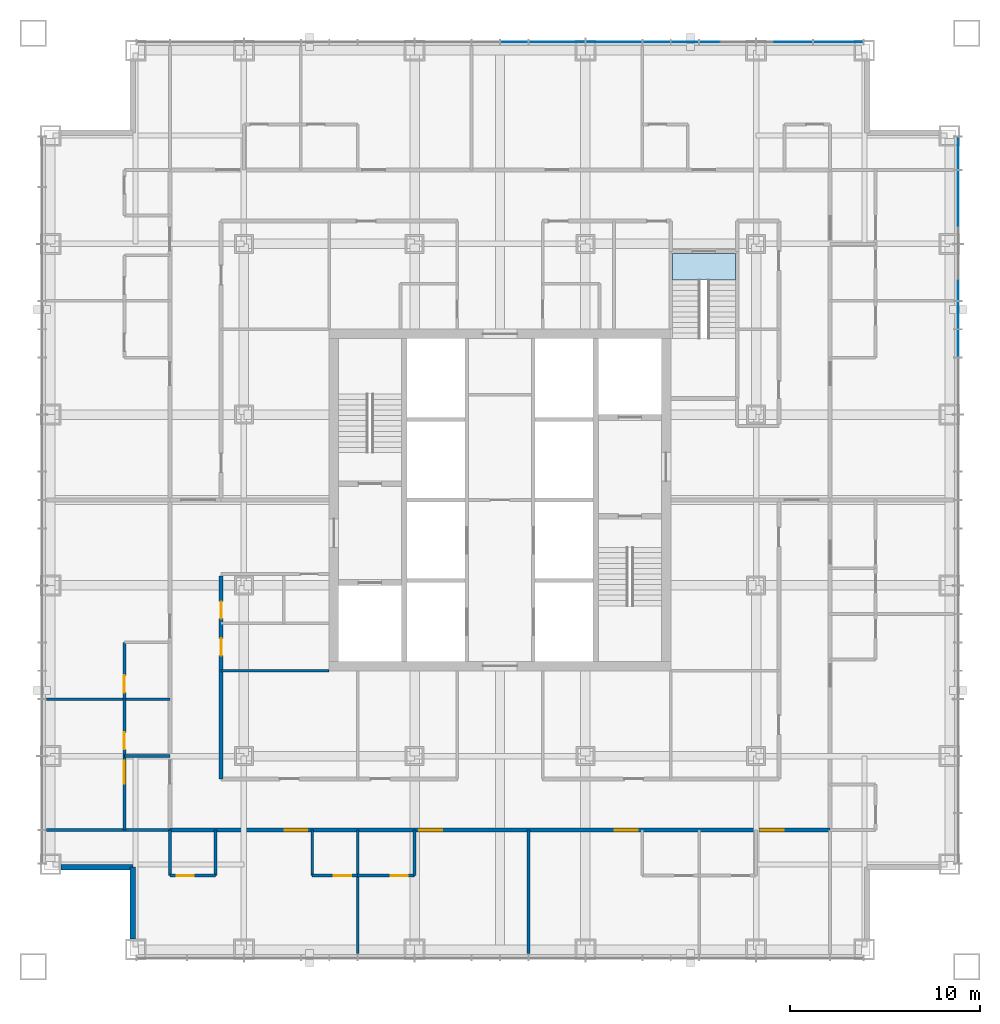
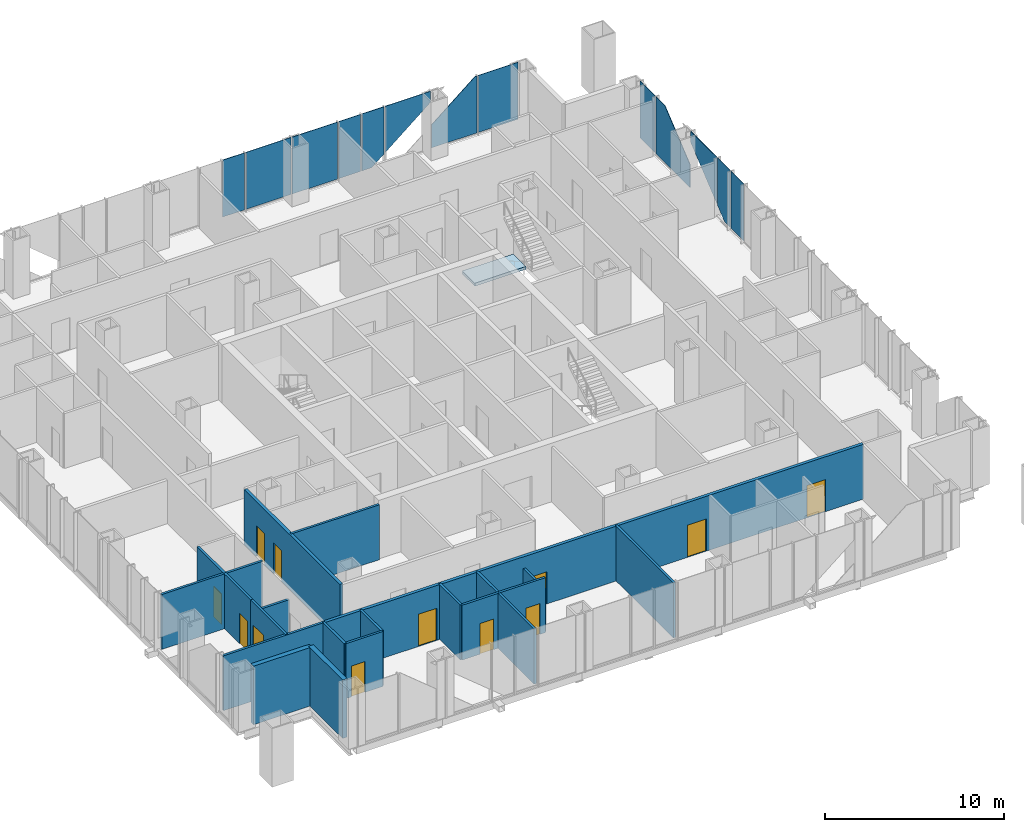
# One storey, part 8 of 14: 20 walls, 13 plates, 12 doors, 1 slab, 12 openings, 3 elements without a shape of their own.
"""IFC4 building model written with IfcOpenShell, lengths in metres."""

from ifc_helpers import new_model, si_unit, direction, frame, frame_2d, origin, origin_2d, place, context, subcontext, project, spatial, polyline, rectangle, outline, extrude, material, layer, layer_set, type_object, element, fill, aggregate, save


model = new_model("IFC4")

# Units and contexts
model_context = context("Model", 3, precision=1e-05, world=origin(), true_north=direction((0.0, 1.0)))
body_context = subcontext(model_context, "Body", "Model", "MODEL_VIEW")
ifc_project = project(units=[si_unit("LENGTHUNIT", "METRE"), si_unit("AREAUNIT", "SQUARE_METRE"), si_unit("VOLUMEUNIT", "CUBIC_METRE"), si_unit("PLANEANGLEUNIT", "RADIAN"), si_unit("MASSUNIT", "GRAM", prefix="KILO")], contexts=[model_context])

# Site, building, storey
site_placement = place(None, origin())
site = spatial("IfcSite", under=ifc_project, at=site_placement, CompositionType="ELEMENT")
building_placement = place(site_placement, origin())
building = spatial("IfcBuilding", under=site, at=building_placement, Name="Malebo Sky Hospital", CompositionType="ELEMENT")
storey_placement = place(building_placement, frame((0.0, 0.0, 128.0)))
storey = spatial("IfcBuildingStorey", under=building, at=storey_placement, Name="L30", CompositionType="ELEMENT", Elevation=128.0)

# Stair, slab
ifc_material_1 = material(Name="Concrete C40/50", Category="concrete")
stair_type = type_object("IfcStairType", Name="HALF-TURN STAIR 1400 R167", PredefinedType="HALF_TURN_STAIR", material=ifc_material_1)
stair_placement = place(storey_placement, origin())
stair = element("IfcStair", 1, at=stair_placement, inside=storey, type_object=stair_type, Name="Stair S3 L30 type ST1B", PredefinedType="HALF_TURN_STAIR")
ifc_layer_1 = layer(ifc_material_1, 0.199951171875)
ifc_layer_set_1 = layer_set([ifc_layer_1], Name="STAIR LANDING 200")
slab_type = type_object("IfcSlabType", Name="STAIR LANDING 200", PredefinedType="LANDING", material=ifc_layer_set_1)
slab_placement = place(storey_placement, frame((0.0, 0.0, -0.199951171875)))
slab = element("IfcSlab", 2, at=slab_placement, type_object=slab_type, Name="S3 landing 1", PredefinedType="LANDING", context=body_context, shape_type="SweptSolid", body=[
    extrude(outline(polyline([(69.10009765625, 73.60009765625), (72.39990234375, 73.60009765625), (72.39990234375, 75.0), (69.10009765625, 75.0), (69.10009765625, 73.60009765625)])), origin(), (0.0, 0.0, 1.0), 0.199951171875),
])
aggregate(stair, [slab])

# Curtain wall, plates
ifc_material_2 = material(Name="Anodised aluminium, natural silver", Category="aluminium")
ifc_layer_2 = layer(ifc_material_2, 0.25)
ifc_layer_set_2 = layer_set([ifc_layer_2], Name="WARD CURTAIN WALL NORTH AND SOUTH")
curtain_wall_type_1 = type_object("IfcCurtainWallType", Name="WARD CURTAIN WALL NORTH AND SOUTH", PredefinedType="NOTDEFINED", material=ifc_layer_set_2)
curtain_wall_1_placement = place(storey_placement, origin())
curtain_wall_1 = element("IfcCurtainWall", 3, at=curtain_wall_1_placement, inside=storey, type_object=curtain_wall_type_1, Name="NS curtain wall N", PredefinedType="NOTDEFINED")
ifc_material_3 = material(Name="Clear low-iron double glazing", Category="glass")
ifc_layer_3 = layer(ifc_material_3, 0.031982421875)
ifc_layer_set_3 = layer_set([ifc_layer_3], Name="VISION PANEL CLEAR 32")
plate_type = type_object("IfcPlateType", Name="VISION PANEL CLEAR 32", PredefinedType="CURTAIN_PANEL", material=ifc_layer_set_3)
plate_1_placement = place(storey_placement, frame((60.75, 86.135009765625, 0.10009765625), z_axis=(0.0, 0.0, 1.0), x_axis=(1.0, 0.0, 0.0)))
plate_1 = element("IfcPlate", 4, at=plate_1_placement, type_object=plate_type, Name="Panel 9", PredefinedType="CURTAIN_PANEL", context=body_context, shape_type="SweptSolid", body=[
    extrude(rectangle(XDim=1.425048828125, YDim=0.031982421875, at=origin_2d()), origin(), (0.0, 0.0, 1.0), 3.889892578125),
])
plate_2_placement = place(storey_placement, frame((63.0, 86.135009765625, 0.10009765625), z_axis=(0.0, 0.0, 1.0), x_axis=(1.0, 0.0, 0.0)))
plate_2 = element("IfcPlate", 5, at=plate_2_placement, type_object=plate_type, Name="Panel 10", PredefinedType="CURTAIN_PANEL", context=body_context, shape_type="SweptSolid", body=[
    extrude(rectangle(XDim=2.925048828125, YDim=0.031982421875, at=origin_2d()), origin(), (0.0, 0.0, 1.0), 3.889892578125),
])
plate_3_placement = place(storey_placement, frame((66.0, 86.135009765625, 0.10009765625), z_axis=(0.0, 0.0, 1.0), x_axis=(1.0, 0.0, 0.0)))
plate_3 = element("IfcPlate", 6, at=plate_3_placement, type_object=plate_type, Name="Panel 11", PredefinedType="CURTAIN_PANEL", context=body_context, shape_type="SweptSolid", body=[
    extrude(rectangle(XDim=2.925048828125, YDim=0.031982421875, at=origin_2d()), origin(), (0.0, 0.0, 1.0), 3.889892578125),
])
plate_4_placement = place(storey_placement, frame((68.25, 86.135009765625, 0.10009765625), z_axis=(0.0, 0.0, 1.0), x_axis=(1.0, 0.0, 0.0)))
plate_4 = element("IfcPlate", 7, at=plate_4_placement, type_object=plate_type, Name="Panel 12", PredefinedType="CURTAIN_PANEL", context=body_context, shape_type="SweptSolid", body=[
    extrude(rectangle(XDim=1.425048828125, YDim=0.031982421875, at=origin_2d()), origin(), (0.0, 0.0, 1.0), 3.889892578125),
])
plate_5_placement = place(storey_placement, frame((69.75, 86.135009765625, 0.10009765625), z_axis=(0.0, 0.0, 1.0), x_axis=(1.0, 0.0, 0.0)))
plate_5 = element("IfcPlate", 8, at=plate_5_placement, type_object=plate_type, Name="Panel 13", PredefinedType="CURTAIN_PANEL", context=body_context, shape_type="SweptSolid", body=[
    extrude(outline(polyline([(-0.71240234375, 0.0), (-0.086669921875, 0.0), (0.71240234375, 0.65869140625), (0.71240234375, 3.889892578125), (-0.71240234375, 3.889892578125), (-0.71240234375, 0.0)])), frame((0.0, 0.01611328125, 0.0), z_axis=(0.0, -1.0, 0.0), x_axis=(1.0, 0.0, 0.0)), (0.0, 0.0, 1.0), 0.031982421875),
])
plate_6_placement = place(storey_placement, frame((72.0, 86.135009765625, 0.820556640625), z_axis=(0.0, 0.0, 1.0), x_axis=(1.0, 0.0, 0.0)))
plate_6 = element("IfcPlate", 9, at=plate_6_placement, type_object=plate_type, Name="Panel 14", PredefinedType="CURTAIN_PANEL", context=body_context, shape_type="SweptSolid", body=[
    extrude(outline(polyline([(-1.46240234375, 0.0), (1.46240234375, 2.41064453125), (1.46240234375, 3.16943359375), (-1.46240234375, 3.16943359375), (-1.46240234375, 0.0)])), frame((0.0, 0.01611328125, 0.0), z_axis=(0.0, -1.0, 0.0), x_axis=(1.0, 0.0, 0.0)), (0.0, 0.0, 1.0), 0.031982421875),
])
plate_7_placement = place(storey_placement, frame((75.0, 86.135009765625, 0.10009765625), z_axis=(0.0, 0.0, 1.0), x_axis=(1.0, 0.0, 0.0)))
plate_7 = element("IfcPlate", 10, at=plate_7_placement, type_object=plate_type, Name="Panel 15", PredefinedType="CURTAIN_PANEL", context=body_context, shape_type="SweptSolid", body=[
    extrude(outline(polyline([(-1.46240234375, 0.0), (1.46240234375, 0.0), (1.46240234375, 3.889892578125), (1.35009765625, 3.889892578125), (-1.46240234375, 1.572021484375), (-1.46240234375, 0.0)])), frame((0.0, 0.01611328125, 0.0), z_axis=(0.0, -1.0, 0.0), x_axis=(1.0, 0.0, 0.0)), (0.0, 0.0, 1.0), 0.031982421875),
])
plate_8_placement = place(storey_placement, frame((77.831298828125, 86.135009765625, 0.10009765625), z_axis=(0.0, 0.0, 1.0), x_axis=(1.0, 0.0, 0.0)))
plate_8 = element("IfcPlate", 11, at=plate_8_placement, type_object=plate_type, Name="Panel 16", PredefinedType="CURTAIN_PANEL", context=body_context, shape_type="SweptSolid", body=[
    extrude(rectangle(XDim=2.58740234375, YDim=0.031982421875, at=origin_2d()), origin(), (0.0, 0.0, 1.0), 3.889892578125),
])
aggregate(curtain_wall_1, [plate_1, plate_2, plate_3, plate_4, plate_5, plate_6, plate_7, plate_8])

ifc_layer_4 = layer(ifc_material_2, 0.25)
ifc_layer_set_4 = layer_set([ifc_layer_4], Name="WARD CURTAIN WALL EAST AND WEST")
curtain_wall_type_2 = type_object("IfcCurtainWallType", Name="WARD CURTAIN WALL EAST AND WEST", PredefinedType="NOTDEFINED", material=ifc_layer_set_4)
curtain_wall_2_placement = place(storey_placement, origin())
curtain_wall_2 = element("IfcCurtainWall", 12, at=curtain_wall_2_placement, inside=storey, type_object=curtain_wall_type_2, Name="EW curtain wall E", PredefinedType="NOTDEFINED")
plate_9_placement = place(storey_placement, frame((84.135009765625, 80.28125, 0.10009765625), z_axis=(0.0, 0.0, 1.0), x_axis=(0.0, -1.0, 0.0)))
plate_9 = element("IfcPlate", 13, at=plate_9_placement, type_object=plate_type, Name="Panel 1", PredefinedType="CURTAIN_PANEL", context=body_context, shape_type="SweptSolid", body=[
    extrude(rectangle(XDim=1.6875, YDim=0.031982421875, at=origin_2d()), origin(), (0.0, 0.0, 1.0), 3.889892578125),
])
plate_10_placement = place(storey_placement, frame((84.135009765625, 77.449951171875, 0.10009765625), z_axis=(0.0, 0.0, 1.0), x_axis=(0.0, -1.0, 0.0)))
plate_10 = element("IfcPlate", 14, at=plate_10_placement, type_object=plate_type, Name="Panel 2", PredefinedType="CURTAIN_PANEL", context=body_context, shape_type="SweptSolid", body=[
    extrude(outline(polyline([(-1.91259765625, 0.0), (1.91259765625, 0.0), (1.91259765625, 1.572021484375), (-0.900146484375, 3.889892578125), (-1.91259765625, 3.889892578125), (-1.91259765625, 0.0)])), frame((0.0, 0.01611328125, 0.0), z_axis=(0.0, -1.0, 0.0), x_axis=(1.0, 0.0, 0.0)), (0.0, 0.0, 1.0), 0.031982421875),
])
plate_11_placement = place(storey_placement, frame((84.135009765625, 74.0, 0.820556640625), z_axis=(0.0, 0.0, 1.0), x_axis=(0.0, -1.0, 0.0)))
plate_11 = element("IfcPlate", 15, at=plate_11_placement, type_object=plate_type, Name="Panel 3", PredefinedType="CURTAIN_PANEL", context=body_context, shape_type="SweptSolid", body=[
    extrude(outline(polyline([(1.46240234375, 0.0), (1.46240234375, 3.16943359375), (-1.46240234375, 3.16943359375), (-1.46240234375, 2.41064453125), (1.46240234375, 0.0)])), frame((0.0, 0.01611328125, 0.0), z_axis=(0.0, -1.0, 0.0), x_axis=(1.0, 0.0, 0.0)), (0.0, 0.0, 1.0), 0.031982421875),
])
plate_12_placement = place(storey_placement, frame((84.135009765625, 71.75, 0.10009765625), z_axis=(0.0, 0.0, 1.0), x_axis=(0.0, -1.0, 0.0)))
plate_12 = element("IfcPlate", 16, at=plate_12_placement, type_object=plate_type, Name="Panel 4", PredefinedType="CURTAIN_PANEL", context=body_context, shape_type="SweptSolid", body=[
    extrude(outline(polyline([(0.086669921875, 0.0), (0.71240234375, 0.0), (0.71240234375, 3.889892578125), (-0.71240234375, 3.889892578125), (-0.71240234375, 0.65869140625), (0.086669921875, 0.0)])), frame((0.0, 0.01611328125, 0.0), z_axis=(0.0, -1.0, 0.0), x_axis=(1.0, 0.0, 0.0)), (0.0, 0.0, 1.0), 0.031982421875),
])
plate_13_placement = place(storey_placement, frame((84.135009765625, 70.25, 0.10009765625), z_axis=(0.0, 0.0, 1.0), x_axis=(0.0, -1.0, 0.0)))
plate_13 = element("IfcPlate", 17, at=plate_13_placement, type_object=plate_type, Name="Panel 5", PredefinedType="CURTAIN_PANEL", context=body_context, shape_type="SweptSolid", body=[
    extrude(rectangle(XDim=1.425048828125, YDim=0.031982421875, at=origin_2d()), origin(), (0.0, 0.0, 1.0), 3.889892578125),
])
aggregate(curtain_wall_2, [plate_9, plate_10, plate_11, plate_12, plate_13])

# Wall, openings, doors
ifc_material_4 = material(Name="Gypsum board on steel studs", Category="steel")
ifc_layer_5 = layer(ifc_material_4, 0.199951171875)
ifc_layer_set_5 = layer_set([ifc_layer_5], Name="CORRIDOR WALL 200")
wall_type_1 = type_object("IfcWallType", Name="CORRIDOR WALL 200", PredefinedType="PARTITIONING", material=ifc_layer_set_5)
wall_1_placement = place(storey_placement, frame((45.300048828125, 47.300048828125, 0.0), z_axis=(0.0, 0.0, 1.0), x_axis=(0.0, 1.0, 0.0)))
wall_1 = element("IfcWall", 18, at=wall_1_placement, inside=storey, type_object=wall_type_1, Name="Corridor Wall 200 WCI1", PredefinedType="PARTITIONING", context=body_context, shape_type="SweptSolid", body=[
    extrude(rectangle(XDim=10.699951171875, YDim=0.199951171875, at=frame_2d((5.35009765625, 0.0))), origin(), (0.0, 0.0, 1.0), 3.75),
])
opening_1_placement = place(wall_1_placement, frame((6.5, 0.0, 0.0)))
opening_1 = element("IfcOpeningElement", 19, at=opening_1_placement, cuts=wall_1, Name="Opening D04", PredefinedType="OPENING", context=body_context, shape_type="SweptSolid", body=[
    extrude(rectangle(XDim=0.89990234375, YDim=2.10009765625, at=frame_2d((0.449951171875, 1.050048828125))), frame((0.0, 0.10986328125, 0.0), z_axis=(0.0, -1.0, 0.0), x_axis=(1.0, 0.0, 0.0)), (0.0, 0.0, 1.0), 0.219970703125),
])
opening_2_placement = place(wall_1_placement, frame((8.449951171875, 0.0, 0.0)))
opening_2 = element("IfcOpeningElement", 20, at=opening_2_placement, cuts=wall_1, Name="Opening D04", PredefinedType="OPENING", context=body_context, shape_type="SweptSolid", body=[
    extrude(rectangle(XDim=0.89990234375, YDim=2.10009765625, at=frame_2d((0.449951171875, 1.050048828125))), frame((0.0, 0.10986328125, 0.0), z_axis=(0.0, -1.0, 0.0), x_axis=(1.0, 0.0, 0.0)), (0.0, 0.0, 1.0), 0.219970703125),
])
ifc_material_5 = material(Name="Hardwood-faced door leaf in steel frame", Category="steel")
door_type_1 = type_object("IfcDoorType", Name="ROOM DOOR 900", OperationType="SINGLE_SWING_LEFT", PredefinedType="DOOR", material=ifc_material_5)
door_1_placement = place(opening_1_placement, origin())
door_1 = element("IfcDoor", 21, at=door_1_placement, inside=storey, type_object=door_type_1, Name="Dirty utility room door", OperationType="SINGLE_SWING_LEFT", OverallHeight=2.10009765625, OverallWidth=0.89990234375, PredefinedType="DOOR", context=body_context, shape_type="SweptSolid", body=[
    extrude(rectangle(XDim=0.89990234375, YDim=2.10009765625, at=frame_2d((0.449951171875, 1.050048828125))), frame((0.0, 0.02490234375, 0.0), z_axis=(0.0, -1.0, 0.0), x_axis=(1.0, 0.0, 0.0)), (0.0, 0.0, 1.0), 0.050048828125),
])
fill(opening_1, door_1)
door_2_placement = place(opening_2_placement, origin())
door_2 = element("IfcDoor", 22, at=door_2_placement, inside=storey, type_object=door_type_1, Name="Linen store door", OperationType="SINGLE_SWING_LEFT", OverallHeight=2.10009765625, OverallWidth=0.89990234375, PredefinedType="DOOR", context=body_context, shape_type="SweptSolid", body=[
    extrude(rectangle(XDim=0.89990234375, YDim=2.10009765625, at=frame_2d((0.449951171875, 1.050048828125))), frame((0.0, 0.02490234375, 0.0), z_axis=(0.0, -1.0, 0.0), x_axis=(1.0, 0.0, 0.0)), (0.0, 0.0, 1.0), 0.050048828125),
])
fill(opening_2, door_2)

wall_2_placement = place(storey_placement, frame((77.39990234375, 44.60009765625, 0.0), z_axis=(0.0, 0.0, 1.0), x_axis=(-1.0, 0.0, 0.0)))
wall_2 = element("IfcWall", 23, at=wall_2_placement, inside=storey, type_object=wall_type_1, Name="Corridor Wall 200 SCO", PredefinedType="PARTITIONING", context=body_context, shape_type="SweptSolid", body=[
    extrude(rectangle(XDim=34.7998046875, YDim=0.199951171875, at=frame_2d((17.39990234375, 0.0))), origin(), (0.0, 0.0, 1.0), 3.75),
])
opening_3_placement = place(wall_2_placement, frame((2.449951171875, 0.0, 0.0)))
opening_3 = element("IfcOpeningElement", 24, at=opening_3_placement, cuts=wall_2, Name="Opening D01", PredefinedType="OPENING", context=body_context, shape_type="SweptSolid", body=[
    extrude(rectangle(XDim=1.199951171875, YDim=2.199951171875, at=frame_2d((0.60009765625, 1.10009765625))), frame((0.0, 0.10986328125, 0.0), z_axis=(0.0, -1.0, 0.0), x_axis=(1.0, 0.0, 0.0)), (0.0, 0.0, 1.0), 0.219970703125),
])
opening_4_placement = place(wall_2_placement, frame((10.14990234375, 0.0, 0.0)))
opening_4 = element("IfcOpeningElement", 25, at=opening_4_placement, cuts=wall_2, Name="Opening D01", PredefinedType="OPENING", context=body_context, shape_type="SweptSolid", body=[
    extrude(rectangle(XDim=1.199951171875, YDim=2.199951171875, at=frame_2d((0.60009765625, 1.10009765625))), frame((0.0, 0.10986328125, 0.0), z_axis=(0.0, -1.0, 0.0), x_axis=(1.0, 0.0, 0.0)), (0.0, 0.0, 1.0), 0.219970703125),
])
opening_5_placement = place(wall_2_placement, frame((20.449951171875, 0.0, 0.0)))
opening_5 = element("IfcOpeningElement", 26, at=opening_5_placement, cuts=wall_2, Name="Opening D01", PredefinedType="OPENING", context=body_context, shape_type="SweptSolid", body=[
    extrude(rectangle(XDim=1.199951171875, YDim=2.199951171875, at=frame_2d((0.60009765625, 1.10009765625))), frame((0.0, 0.10986328125, 0.0), z_axis=(0.0, -1.0, 0.0), x_axis=(1.0, 0.0, 0.0)), (0.0, 0.0, 1.0), 0.219970703125),
])
opening_6_placement = place(wall_2_placement, frame((27.550048828125, 0.0, 0.0)))
opening_6 = element("IfcOpeningElement", 27, at=opening_6_placement, cuts=wall_2, Name="Opening D01", PredefinedType="OPENING", context=body_context, shape_type="SweptSolid", body=[
    extrude(rectangle(XDim=1.199951171875, YDim=2.199951171875, at=frame_2d((0.60009765625, 1.10009765625))), frame((0.0, 0.10986328125, 0.0), z_axis=(0.0, -1.0, 0.0), x_axis=(1.0, 0.0, 0.0)), (0.0, 0.0, 1.0), 0.219970703125),
])
door_type_2 = type_object("IfcDoorType", Name="BED DOOR 1200", OperationType="SINGLE_SWING_LEFT", PredefinedType="DOOR", material=ifc_material_5)
door_3_placement = place(opening_3_placement, origin())
door_3 = element("IfcDoor", 28, at=door_3_placement, inside=storey, type_object=door_type_2, Name="Two-bed room door", OperationType="SINGLE_SWING_RIGHT", OverallHeight=2.199951171875, OverallWidth=1.199951171875, PredefinedType="DOOR", context=body_context, shape_type="SweptSolid", body=[
    extrude(rectangle(XDim=1.199951171875, YDim=2.199951171875, at=frame_2d((0.60009765625, 1.10009765625))), frame((0.0, 0.02490234375, 0.0), z_axis=(0.0, -1.0, 0.0), x_axis=(1.0, 0.0, 0.0)), (0.0, 0.0, 1.0), 0.050048828125),
])
fill(opening_3, door_3)
door_4_placement = place(opening_4_placement, origin())
door_4 = element("IfcDoor", 29, at=door_4_placement, inside=storey, type_object=door_type_2, Name="Two-bed room door", OperationType="SINGLE_SWING_LEFT", OverallHeight=2.199951171875, OverallWidth=1.199951171875, PredefinedType="DOOR", context=body_context, shape_type="SweptSolid", body=[
    extrude(rectangle(XDim=1.199951171875, YDim=2.199951171875, at=frame_2d((0.60009765625, 1.10009765625))), frame((0.0, 0.02490234375, 0.0), z_axis=(0.0, -1.0, 0.0), x_axis=(1.0, 0.0, 0.0)), (0.0, 0.0, 1.0), 0.050048828125),
])
fill(opening_4, door_4)
door_5_placement = place(opening_5_placement, origin())
door_5 = element("IfcDoor", 30, at=door_5_placement, inside=storey, type_object=door_type_2, Name="Two-bed room door", OperationType="SINGLE_SWING_RIGHT", OverallHeight=2.199951171875, OverallWidth=1.199951171875, PredefinedType="DOOR", context=body_context, shape_type="SweptSolid", body=[
    extrude(rectangle(XDim=1.199951171875, YDim=2.199951171875, at=frame_2d((0.60009765625, 1.10009765625))), frame((0.0, 0.02490234375, 0.0), z_axis=(0.0, -1.0, 0.0), x_axis=(1.0, 0.0, 0.0)), (0.0, 0.0, 1.0), 0.050048828125),
])
fill(opening_5, door_5)
door_6_placement = place(opening_6_placement, origin())
door_6 = element("IfcDoor", 31, at=door_6_placement, inside=storey, type_object=door_type_2, Name="Four-bed bay door", OperationType="SINGLE_SWING_LEFT", OverallHeight=2.199951171875, OverallWidth=1.199951171875, PredefinedType="DOOR", context=body_context, shape_type="SweptSolid", body=[
    extrude(rectangle(XDim=1.199951171875, YDim=2.199951171875, at=frame_2d((0.60009765625, 1.10009765625))), frame((0.0, 0.02490234375, 0.0), z_axis=(0.0, -1.0, 0.0), x_axis=(1.0, 0.0, 0.0)), (0.0, 0.0, 1.0), 0.050048828125),
])
fill(opening_6, door_6)

# Walls
ifc_material_6 = material(Name="Anodised aluminium rainscreen on steel framing", Category="steel")
ifc_layer_6 = layer(ifc_material_6, 0.300048828125)
ifc_layer_set_6 = layer_set([ifc_layer_6], Name="NOTCH RAINSCREEN WALL 300")
wall_type_2 = type_object("IfcWallType", Name="NOTCH RAINSCREEN WALL 300", PredefinedType="ELEMENTEDWALL", material=ifc_layer_set_6)
for number, where, z_axis, x_axis, name in (
    (32, (40.64990234375, 38.85009765625, 0.0), (0.0, 0.0, 1.0), (0.0, 1.0, 0.0), "Notch rainscreen wall S1 L30"),
    (33, (40.64990234375, 42.64990234375, 0.0), (0.0, 0.0, 1.0), (-1.0, 0.0, 0.0), "Notch rainscreen wall S2 L30"),
):
    element("IfcWall", number, at=place(storey_placement, frame(where, z_axis=z_axis, x_axis=x_axis)), inside=storey, type_object=wall_type_2, Name=name, PredefinedType="ELEMENTEDWALL", context=body_context, shape_type="SweptSolid", body=[
        extrude(rectangle(XDim=3.7998046875, YDim=0.300048828125, at=frame_2d((1.89990234375, 0.0))), origin(), (0.0, 0.0, 1.0), 4.0),
    ])
ifc_layer_7 = layer(ifc_material_4, 0.14990234375)
ifc_layer_set_7 = layer_set([ifc_layer_7], Name="PARTITION 150")
wall_type_3 = type_object("IfcWallType", Name="PARTITION 150", PredefinedType="PARTITIONING", material=ifc_layer_set_7)
for number, where, z_axis, x_axis, name in (
    (34, (42.60009765625, 51.5, 0.0), (0.0, 0.0, 1.0), (-1.0, 0.0, 0.0), "Partition 150 WP-10.5"),
    (35, (42.60009765625, 44.60009765625, 0.0), (0.0, 0.0, 1.0), (-1.0, 0.0, 0.0), "Partition 150 WP0"),
):
    element("IfcWall", number, at=place(storey_placement, frame(where, z_axis=z_axis, x_axis=x_axis)), inside=storey, type_object=wall_type_3, Name=name, PredefinedType="PARTITIONING", context=body_context, shape_type="SweptSolid", body=[
        extrude(rectangle(XDim=6.510009765625, YDim=0.14990234375, at=frame_2d((3.2548828125, 0.0))), origin(), (0.0, 0.0, 1.0), 3.75),
    ])

# Wall, opening, door
wall_3_placement = place(storey_placement, frame((40.199951171875, 48.5, 0.0), z_axis=(0.0, 0.0, 1.0), x_axis=(0.0, 1.0, 0.0)))
wall_3 = element("IfcWall", 36, at=wall_3_placement, inside=storey, type_object=wall_type_3, Name="Partition 150 WE0F", PredefinedType="PARTITIONING", context=body_context, shape_type="SweptSolid", body=[
    extrude(rectangle(XDim=3.0, YDim=0.14990234375, at=frame_2d((1.5, 0.0))), origin(), (0.0, 0.0, 1.0), 3.75),
])
opening_7_placement = place(wall_3_placement, frame((0.35009765625, 0.0, 0.0)))
opening_7 = element("IfcOpeningElement", 37, at=opening_7_placement, cuts=wall_3, Name="Opening D02", PredefinedType="OPENING", context=body_context, shape_type="SweptSolid", body=[
    extrude(rectangle(XDim=0.89990234375, YDim=2.10009765625, at=frame_2d((0.449951171875, 1.050048828125))), frame((0.0, 0.0849609375, 0.0), z_axis=(0.0, -1.0, 0.0), x_axis=(1.0, 0.0, 0.0)), (0.0, 0.0, 1.0), 0.169921875),
])
door_type_3 = type_object("IfcDoorType", Name="EN-SUITE DOOR 900", OperationType="SINGLE_SWING_LEFT", PredefinedType="DOOR", material=ifc_material_5)
door_7_placement = place(opening_7_placement, origin())
door_7 = element("IfcDoor", 38, at=door_7_placement, inside=storey, type_object=door_type_3, Name="En-suite door", OperationType="SINGLE_SWING_LEFT", OverallHeight=2.10009765625, OverallWidth=0.89990234375, PredefinedType="DOOR", context=body_context, shape_type="SweptSolid", body=[
    extrude(rectangle(XDim=0.89990234375, YDim=2.10009765625, at=frame_2d((0.449951171875, 1.050048828125))), frame((0.0, 0.02490234375, 0.0), z_axis=(0.0, -1.0, 0.0), x_axis=(1.0, 0.0, 0.0)), (0.0, 0.0, 1.0), 0.050048828125),
])
fill(opening_7, door_7)

# Wall
wall_4_placement = place(storey_placement, frame((42.60009765625, 48.5, 0.0), z_axis=(0.0, 0.0, 1.0), x_axis=(-1.0, 0.0, 0.0)))
element("IfcWall", 39, at=wall_4_placement, inside=storey, type_object=wall_type_3, Name="Partition 150 WE0S", PredefinedType="PARTITIONING", context=body_context, shape_type="SweptSolid", body=[
    extrude(rectangle(XDim=2.400146484375, YDim=0.14990234375, at=frame_2d((1.2001953125, 0.0))), origin(), (0.0, 0.0, 1.0), 2.949951171875),
])

# Wall, opening, door
wall_5_placement = place(storey_placement, frame((40.199951171875, 51.5, 0.0), z_axis=(0.0, 0.0, 1.0), x_axis=(0.0, 1.0, 0.0)))
wall_5 = element("IfcWall", 40, at=wall_5_placement, inside=storey, type_object=wall_type_3, Name="Partition 150 WE1F", PredefinedType="PARTITIONING", context=body_context, shape_type="SweptSolid", body=[
    extrude(rectangle(XDim=3.0, YDim=0.14990234375, at=frame_2d((1.5, 0.0))), origin(), (0.0, 0.0, 1.0), 3.75),
])
opening_8_placement = place(wall_5_placement, frame((0.35009765625, 0.0, 0.0)))
opening_8 = element("IfcOpeningElement", 41, at=opening_8_placement, cuts=wall_5, Name="Opening D02", PredefinedType="OPENING", context=body_context, shape_type="SweptSolid", body=[
    extrude(rectangle(XDim=0.89990234375, YDim=2.10009765625, at=frame_2d((0.449951171875, 1.050048828125))), frame((0.0, 0.0849609375, 0.0), z_axis=(0.0, -1.0, 0.0), x_axis=(1.0, 0.0, 0.0)), (0.0, 0.0, 1.0), 0.169921875),
])
door_8_placement = place(opening_8_placement, origin())
door_8 = element("IfcDoor", 42, at=door_8_placement, inside=storey, type_object=door_type_3, Name="En-suite door", OperationType="SINGLE_SWING_LEFT", OverallHeight=2.10009765625, OverallWidth=0.89990234375, PredefinedType="DOOR", context=body_context, shape_type="SweptSolid", body=[
    extrude(rectangle(XDim=0.89990234375, YDim=2.10009765625, at=frame_2d((0.449951171875, 1.050048828125))), frame((0.0, 0.02490234375, 0.0), z_axis=(0.0, -1.0, 0.0), x_axis=(1.0, 0.0, 0.0)), (0.0, 0.0, 1.0), 0.050048828125),
])
fill(opening_8, door_8)

# Walls
wall_6_placement = place(storey_placement, frame((51.0, 53.0, 0.0), z_axis=(0.0, 0.0, 1.0), x_axis=(-1.0, 0.0, 0.0)))
element("IfcWall", 43, at=wall_6_placement, inside=storey, type_object=wall_type_3, Name="Partition 150 WSP0", PredefinedType="PARTITIONING", context=body_context, shape_type="SweptSolid", body=[
    extrude(rectangle(XDim=5.699951171875, YDim=0.14990234375, at=frame_2d((2.85009765625, 0.0))), origin(), (0.0, 0.0, 1.0), 3.75),
])
for number, where, z_axis, x_axis, name in (
    (44, (61.5, 44.60009765625, 0.0), (0.0, 0.0, 1.0), (0.0, -1.0, 0.0), "Partition 150 SP-1.5"),
    (45, (52.5, 44.60009765625, 0.0), (0.0, 0.0, 1.0), (0.0, -1.0, 0.0), "Partition 150 SP+7.5"),
):
    element("IfcWall", number, at=place(storey_placement, frame(where, z_axis=z_axis, x_axis=x_axis)), inside=storey, type_object=wall_type_3, Name=name, PredefinedType="PARTITIONING", context=body_context, shape_type="SweptSolid", body=[
        extrude(rectangle(XDim=6.510009765625, YDim=0.14990234375, at=frame_2d((3.2548828125, 0.0))), origin(), (0.0, 0.0, 1.0), 3.75),
    ])

# Wall, opening, door
wall_7_placement = place(storey_placement, frame((55.5, 42.199951171875, 0.0), z_axis=(0.0, 0.0, 1.0), x_axis=(-1.0, 0.0, 0.0)))
wall_7 = element("IfcWall", 46, at=wall_7_placement, inside=storey, type_object=wall_type_3, Name="Partition 150 SE2F", PredefinedType="PARTITIONING", context=body_context, shape_type="SweptSolid", body=[
    extrude(rectangle(XDim=3.0, YDim=0.14990234375, at=frame_2d((1.5, 0.0))), origin(), (0.0, 0.0, 1.0), 3.75),
])
opening_9_placement = place(wall_7_placement, frame((0.35009765625, 0.0, 0.0)))
opening_9 = element("IfcOpeningElement", 47, at=opening_9_placement, cuts=wall_7, Name="Opening D02", PredefinedType="OPENING", context=body_context, shape_type="SweptSolid", body=[
    extrude(rectangle(XDim=0.89990234375, YDim=2.10009765625, at=frame_2d((0.449951171875, 1.050048828125))), frame((0.0, 0.0849609375, 0.0), z_axis=(0.0, -1.0, 0.0), x_axis=(1.0, 0.0, 0.0)), (0.0, 0.0, 1.0), 0.169921875),
])
door_9_placement = place(opening_9_placement, origin())
door_9 = element("IfcDoor", 48, at=door_9_placement, inside=storey, type_object=door_type_3, Name="En-suite door", OperationType="SINGLE_SWING_LEFT", OverallHeight=2.10009765625, OverallWidth=0.89990234375, PredefinedType="DOOR", context=body_context, shape_type="SweptSolid", body=[
    extrude(rectangle(XDim=0.89990234375, YDim=2.10009765625, at=frame_2d((0.449951171875, 1.050048828125))), frame((0.0, 0.02490234375, 0.0), z_axis=(0.0, -1.0, 0.0), x_axis=(1.0, 0.0, 0.0)), (0.0, 0.0, 1.0), 0.050048828125),
])
fill(opening_9, door_9)

# Wall
wall_8_placement = place(storey_placement, frame((55.5, 44.60009765625, 0.0), z_axis=(0.0, 0.0, 1.0), x_axis=(0.0, -1.0, 0.0)))
element("IfcWall", 49, at=wall_8_placement, inside=storey, type_object=wall_type_3, Name="Partition 150 SE2S", PredefinedType="PARTITIONING", context=body_context, shape_type="SweptSolid", body=[
    extrude(rectangle(XDim=2.400146484375, YDim=0.14990234375, at=frame_2d((1.2001953125, 0.0))), origin(), (0.0, 0.0, 1.0), 2.949951171875),
])

# Wall, opening, door
wall_9_placement = place(storey_placement, frame((52.5, 42.199951171875, 0.0), z_axis=(0.0, 0.0, 1.0), x_axis=(-1.0, 0.0, 0.0)))
wall_9 = element("IfcWall", 50, at=wall_9_placement, inside=storey, type_object=wall_type_3, Name="Partition 150 SE3F", PredefinedType="PARTITIONING", context=body_context, shape_type="SweptSolid", body=[
    extrude(rectangle(XDim=2.39990234375, YDim=0.14990234375, at=frame_2d((1.199951171875, 0.0))), origin(), (0.0, 0.0, 1.0), 3.75),
])
opening_10_placement = place(wall_9_placement, frame((0.35009765625, 0.0, 0.0)))
opening_10 = element("IfcOpeningElement", 51, at=opening_10_placement, cuts=wall_9, Name="Opening D02", PredefinedType="OPENING", context=body_context, shape_type="SweptSolid", body=[
    extrude(rectangle(XDim=0.89990234375, YDim=2.10009765625, at=frame_2d((0.449951171875, 1.050048828125))), frame((0.0, 0.0849609375, 0.0), z_axis=(0.0, -1.0, 0.0), x_axis=(1.0, 0.0, 0.0)), (0.0, 0.0, 1.0), 0.169921875),
])
door_10_placement = place(opening_10_placement, origin())
door_10 = element("IfcDoor", 52, at=door_10_placement, inside=storey, type_object=door_type_3, Name="En-suite door", OperationType="SINGLE_SWING_LEFT", OverallHeight=2.10009765625, OverallWidth=0.89990234375, PredefinedType="DOOR", context=body_context, shape_type="SweptSolid", body=[
    extrude(rectangle(XDim=0.89990234375, YDim=2.10009765625, at=frame_2d((0.449951171875, 1.050048828125))), frame((0.0, 0.02490234375, 0.0), z_axis=(0.0, -1.0, 0.0), x_axis=(1.0, 0.0, 0.0)), (0.0, 0.0, 1.0), 0.050048828125),
])
fill(opening_10, door_10)

# Wall
wall_10_placement = place(storey_placement, frame((50.10009765625, 44.60009765625, 0.0), z_axis=(0.0, 0.0, 1.0), x_axis=(0.0, -1.0, 0.0)))
element("IfcWall", 53, at=wall_10_placement, inside=storey, type_object=wall_type_3, Name="Partition 150 SE3S", PredefinedType="PARTITIONING", context=body_context, shape_type="SweptSolid", body=[
    extrude(rectangle(XDim=2.400146484375, YDim=0.14990234375, at=frame_2d((1.2001953125, 0.0))), origin(), (0.0, 0.0, 1.0), 3.75),
])

# Wall, opening, door
wall_11_placement = place(storey_placement, frame((45.0, 42.199951171875, 0.0), z_axis=(0.0, 0.0, 1.0), x_axis=(-1.0, 0.0, 0.0)))
wall_11 = element("IfcWall", 54, at=wall_11_placement, inside=storey, type_object=wall_type_3, Name="Partition 150 SG3F", PredefinedType="PARTITIONING", context=body_context, shape_type="SweptSolid", body=[
    extrude(rectangle(XDim=2.39990234375, YDim=0.14990234375, at=frame_2d((1.199951171875, 0.0))), origin(), (0.0, 0.0, 1.0), 3.75),
])
opening_11_placement = place(wall_11_placement, frame((1.14990234375, 0.0, 0.0)))
opening_11 = element("IfcOpeningElement", 55, at=opening_11_placement, cuts=wall_11, Name="Opening D02", PredefinedType="OPENING", context=body_context, shape_type="SweptSolid", body=[
    extrude(rectangle(XDim=0.89990234375, YDim=2.10009765625, at=frame_2d((0.449951171875, 1.050048828125))), frame((0.0, 0.0849609375, 0.0), z_axis=(0.0, -1.0, 0.0), x_axis=(1.0, 0.0, 0.0)), (0.0, 0.0, 1.0), 0.169921875),
])
door_11_placement = place(opening_11_placement, origin())
door_11 = element("IfcDoor", 56, at=door_11_placement, inside=storey, type_object=door_type_3, Name="En-suite door", OperationType="SINGLE_SWING_RIGHT", OverallHeight=2.10009765625, OverallWidth=0.89990234375, PredefinedType="DOOR", context=body_context, shape_type="SweptSolid", body=[
    extrude(rectangle(XDim=0.89990234375, YDim=2.10009765625, at=frame_2d((0.449951171875, 1.050048828125))), frame((0.0, 0.02490234375, 0.0), z_axis=(0.0, -1.0, 0.0), x_axis=(1.0, 0.0, 0.0)), (0.0, 0.0, 1.0), 0.050048828125),
])
fill(opening_11, door_11)

# Walls
for number, where, z_axis, x_axis, name in (
    (57, (45.0, 44.60009765625, 0.0), (0.0, 0.0, 1.0), (0.0, -1.0, 0.0), "Partition 150 SG3S"),
    (58, (42.60009765625, 44.60009765625, 0.0), (0.0, 0.0, 1.0), (0.0, -1.0, 0.0), "Partition 150 SEZ"),
):
    element("IfcWall", number, at=place(storey_placement, frame(where, z_axis=z_axis, x_axis=x_axis)), inside=storey, type_object=wall_type_3, Name=name, PredefinedType="PARTITIONING", context=body_context, shape_type="SweptSolid", body=[
        extrude(rectangle(XDim=2.400146484375, YDim=0.14990234375, at=frame_2d((1.2001953125, 0.0))), origin(), (0.0, 0.0, 1.0), 3.75),
    ])

# Wall, opening, door
ifc_material_7 = material(Name="Sealed gypsum board on steel studs, taped to the slab", Category="steel")
ifc_layer_8 = layer(ifc_material_7, 0.14990234375)
ifc_layer_set_8 = layer_set([ifc_layer_8], Name="SEALED ISOLATION PARTITION 150")
wall_type_4 = type_object("IfcWallType", Name="SEALED ISOLATION PARTITION 150", PredefinedType="PARTITIONING", material=ifc_layer_set_8)
wall_12_placement = place(storey_placement, frame((40.199951171875, 44.60009765625, 0.0), z_axis=(0.0, 0.0, 1.0), x_axis=(0.0, 1.0, 0.0)))
wall_12 = element("IfcWall", 59, at=wall_12_placement, inside=storey, type_object=wall_type_4, Name="Sealed Isolation Partition 150 WA0F", PredefinedType="PARTITIONING", context=body_context, shape_type="SweptSolid", body=[
    extrude(rectangle(XDim=3.89990234375, YDim=0.14990234375, at=frame_2d((1.949951171875, 0.0))), origin(), (0.0, 0.0, 1.0), 3.75),
])
opening_12_placement = place(wall_12_placement, frame((2.449951171875, 0.0, 0.0)))
opening_12 = element("IfcOpeningElement", 60, at=opening_12_placement, cuts=wall_12, Name="Opening D19", PredefinedType="OPENING", context=body_context, shape_type="SweptSolid", body=[
    extrude(rectangle(XDim=1.199951171875, YDim=2.199951171875, at=frame_2d((0.60009765625, 1.10009765625))), frame((0.0, 0.0849609375, 0.0), z_axis=(0.0, -1.0, 0.0), x_axis=(1.0, 0.0, 0.0)), (0.0, 0.0, 1.0), 0.169921875),
])
ifc_material_8 = material(Name="Hardwood-faced door leaf with perimeter seals in steel frame", Category="steel")
door_type_4 = type_object("IfcDoorType", Name="SEALED ISOLATION ROOM DOOR 1200", OperationType="SINGLE_SWING_LEFT", PredefinedType="DOOR", material=ifc_material_8)
door_12_placement = place(opening_12_placement, origin())
door_12 = element("IfcDoor", 61, at=door_12_placement, inside=storey, type_object=door_type_4, Name="Isolation room door", OperationType="SINGLE_SWING_RIGHT", OverallHeight=2.199951171875, OverallWidth=1.199951171875, PredefinedType="DOOR", context=body_context, shape_type="SweptSolid", body=[
    extrude(rectangle(XDim=1.199951171875, YDim=2.199951171875, at=frame_2d((0.60009765625, 1.10009765625))), frame((0.0, 0.02490234375, 0.0), z_axis=(0.0, -1.0, 0.0), x_axis=(1.0, 0.0, 0.0)), (0.0, 0.0, 1.0), 0.050048828125),
])
fill(opening_12, door_12)

save(model, "model.ifc")
